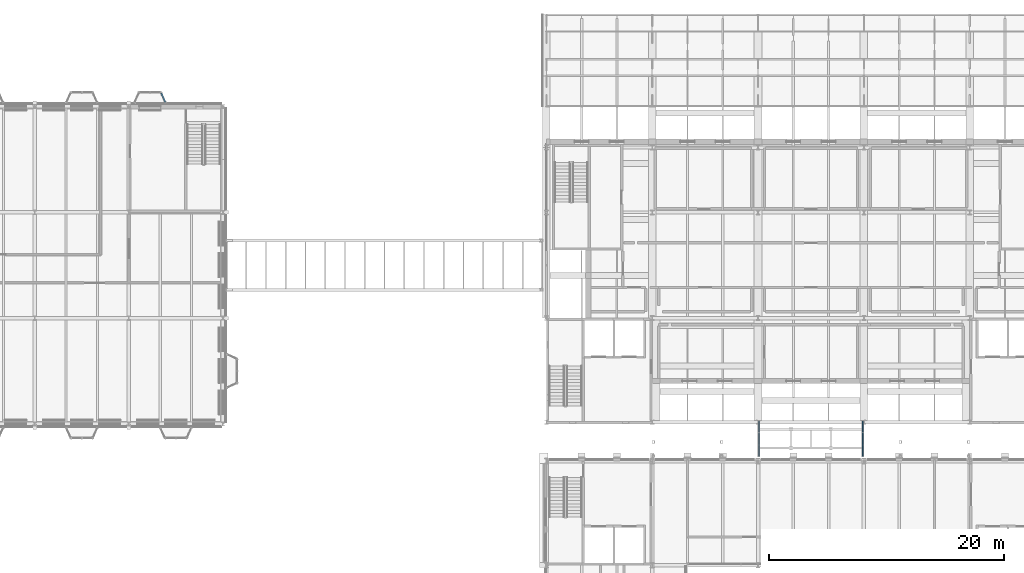
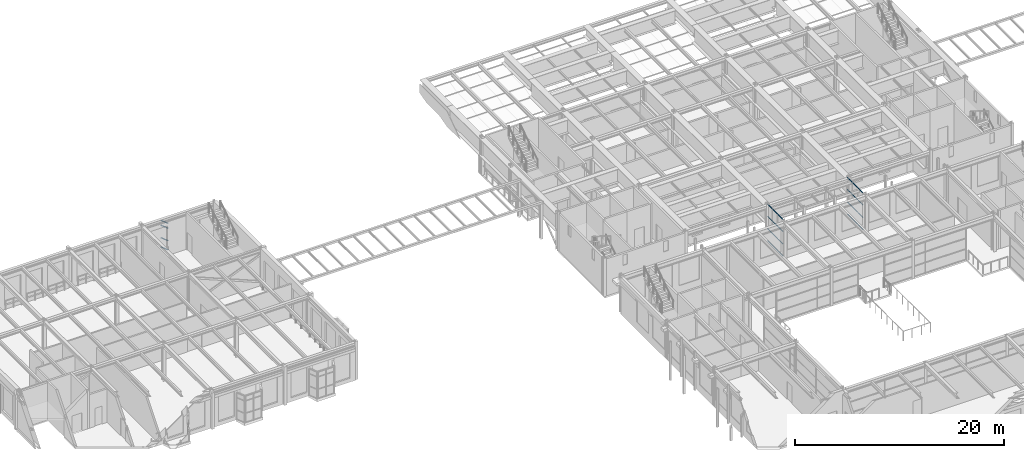
# One storey, part 80 of 153: 28 members, 3 elements without a shape of their own.
"""IFC4 building model written with IfcOpenShell, lengths in metres."""

import ifcopenshell
import ifcopenshell.guid

model = None  # the IFC model being written
_history = None  # IfcOwnerHistory: only IFC2X3 demands one
_inside = {}  # id of a spatial element -> (the spatial element, [elements in it])
_under = {}  # id of a project, library or spatial element -> (it, [spatial elements below it])
_declared = {}  # id of a project -> (the project, [libraries it declares])
_typed = {}  # id of a type object -> (the type object, [elements of that type])
_made_of = {}  # id of a material, layer set ... -> (it, [elements and type objects made of it])


def new_model(schema):
    """Start an empty IFC model of exactly this schema.

    Asked for "IFC4X3", IfcOpenShell would pick the latest addendum, in which some entities
    have other attributes; the version numbers below select the first issue.
    IFC2X3 requires an IfcOwnerHistory on every rooted entity: one is made here for all.
    """
    global model, _history
    if schema == "IFC4X3":
        model = ifcopenshell.file(schema_version=(4, 3, 0, 0))
    else:
        model = ifcopenshell.file(schema=schema)
    _inside.clear()
    _under.clear()
    _declared.clear()
    _typed.clear()
    _made_of.clear()
    _history = None
    if model.schema == "IFC2X3":
        org = make("IfcOrganization", Name="unknown")
        user = make(
            "IfcPersonAndOrganization",
            ThePerson=make("IfcPerson", FamilyName="unknown"),
            TheOrganization=org,
        )
        app = make(
            "IfcApplication",
            ApplicationDeveloper=org,
            Version="unknown",
            ApplicationFullName="unknown",
            ApplicationIdentifier="unknown",
        )
        _history = make(
            "IfcOwnerHistory",
            OwningUser=user,
            OwningApplication=app,
            ChangeAction="ADDED",
            CreationDate=0,
        )
    return model


def make(cls, **values):
    """One entity of the class cls with the attributes given. An attribute that is None is left unset."""
    return model.create_entity(
        cls, **{name: value for name, value in values.items() if value is not None}
    )


def rooted(cls, **values):
    """An entity with a GlobalId (a new one), such as an element, a storey or a relation."""
    return make(cls, GlobalId=ifcopenshell.guid.new(), OwnerHistory=_history, **values)


def si_unit(unit_type, name, prefix=None):
    """IfcSIUnit, for example si_unit("LENGTHUNIT", "METRE", prefix="MILLI")."""
    return make("IfcSIUnit", UnitType=unit_type, Prefix=prefix, Name=name)


def assignment(units):
    """IfcUnitAssignment: the units of a project."""
    return None if units is None else make("IfcUnitAssignment", Units=units)


def point(xyz):
    """IfcCartesianPoint."""
    return None if xyz is None else make("IfcCartesianPoint", Coordinates=xyz)


def direction(xyz):
    """IfcDirection."""
    return None if xyz is None else make("IfcDirection", DirectionRatios=xyz)


def frame(location, z_axis=None, x_axis=None):
    """IfcAxis2Placement3D, a coordinate frame: its origin and axes. An axis left out is left unset."""
    return make(
        "IfcAxis2Placement3D",
        Location=point(location),
        Axis=direction(z_axis),
        RefDirection=direction(x_axis),
    )


def frame_2d(location, x_axis=None):
    """IfcAxis2Placement2D, a coordinate frame in the plane: its origin and x axis."""
    return make(
        "IfcAxis2Placement2D", Location=point(location), RefDirection=direction(x_axis)
    )


def origin():
    """The frame at (0, 0, 0) with its axes left unset."""
    return frame((0.0, 0.0, 0.0))


def origin_2d():
    """The frame at (0, 0) in the plane with its x axis left unset."""
    return frame_2d((0.0, 0.0))


def place(relative_to, where):
    """IfcLocalPlacement: puts the frame where relative to a parent placement (None: the world)."""
    return make(
        "IfcLocalPlacement", PlacementRelTo=relative_to, RelativePlacement=where
    )


def context(
    kind, dimensions, precision=None, world=None, true_north=None, identifier=None
):
    """IfcGeometricRepresentationContext, for example the 3D "Model" context."""
    return make(
        "IfcGeometricRepresentationContext",
        ContextIdentifier=identifier,
        ContextType=kind,
        CoordinateSpaceDimension=dimensions,
        Precision=precision,
        WorldCoordinateSystem=world,
        TrueNorth=true_north,
    )


def subcontext(parent, identifier, kind, view, scale=None):
    """IfcGeometricRepresentationSubContext, for example "Body" below "Model"."""
    return make(
        "IfcGeometricRepresentationSubContext",
        ContextIdentifier=identifier,
        ContextType=kind,
        ParentContext=parent,
        TargetScale=scale,
        TargetView=view,
    )


def project(units=None, contexts=None):
    """IfcProject with its units and contexts."""
    return rooted(
        "IfcProject",
        Name="project",
        RepresentationContexts=contexts,
        UnitsInContext=assignment(units),
    )


def spatial(cls, under=None, at=None, **own):
    """A site, building, storey or space (cls), placed at a placement, below another one or the project."""
    s = rooted(cls, ObjectPlacement=at, **own)
    if under is not None:
        _under.setdefault(under.id(), (under, []))[1].append(s)
    return s


def profile(cls, at=None, kind="AREA", **sizes):
    """A parametric profile (cls). Its sizes go by their IFC names, for example OverallWidth=200.0."""
    return make(cls, ProfileType=kind, Position=at, **sizes)


def hollow_rectangle(**sizes):
    """IfcRectangleHollowProfileDef."""
    return profile("IfcRectangleHollowProfileDef", **sizes)


def extrude(swept, where, along, depth):
    """IfcExtrudedAreaSolid: the profile swept, set in the frame where, extruded along a direction by depth."""
    return make(
        "IfcExtrudedAreaSolid",
        SweptArea=swept,
        Position=where,
        ExtrudedDirection=direction(along),
        Depth=depth,
    )


def shape(context_of_items, identifier, shape_type, items):
    """IfcShapeRepresentation: the items that make up one representation, for example the "Body"."""
    return make(
        "IfcShapeRepresentation",
        ContextOfItems=context_of_items,
        RepresentationIdentifier=identifier,
        RepresentationType=shape_type,
        Items=items,
    )


def material(Name=None, Category=None):
    """IfcMaterial."""
    return make("IfcMaterial", Name=Name, Category=Category)


def material_profile(
    of_material, cross_section, Name=None, Category=None, Priority=None
):
    """IfcMaterialProfile: a cross section and its material."""
    return make(
        "IfcMaterialProfile",
        Name=Name,
        Material=of_material,
        Profile=cross_section,
        Priority=Priority,
        Category=Category,
    )


def profile_set(profiles, Name=None, composite=None):
    """IfcMaterialProfileSet."""
    return make(
        "IfcMaterialProfileSet",
        Name=Name,
        MaterialProfiles=profiles,
        CompositeProfile=composite,
    )


def made_of(thing, what):
    """Note that an element or type object is made of a material, layer set ...; save() writes the relation."""
    if what is not None:
        _made_of.setdefault(what.id(), (what, []))[1].append(thing)
    return thing


def type_object(cls, material=None, **own):
    """A type object (cls), such as IfcWallType, which elements share."""
    return made_of(rooted(cls, **own), material)


def element(
    cls,
    number,
    at=None,
    inside=None,
    cuts=None,
    type_object=None,
    material=None,
    context=None,
    identifier="Body",
    shape_type=None,
    held_by="IfcProductDefinitionShape",
    body=None,
    shapes=None,
    **own,
):
    """One element of the class cls, such as IfcWall. Its Tag is "e" and its number.

    at: its placement. inside: the storey or other place that contains it. cuts: it is an
    opening in that element (IfcRelVoidsElement). A single representation is given by context,
    identifier, shape_type and body (its items); several are given by shapes. held_by: the class
    of the entity that holds the representations. save() writes the other relations.
    """
    e = rooted(cls, Tag="e%d" % number, ObjectPlacement=at, **own)
    if body is not None:
        shapes = [shape(context, identifier, shape_type, body)]
    if shapes is not None:
        e.Representation = make(held_by, Representations=shapes)
    if inside is not None:
        _inside.setdefault(inside.id(), (inside, []))[1].append(e)
    if cuts is not None:
        rooted(
            "IfcRelVoidsElement", RelatingBuildingElement=cuts, RelatedOpeningElement=e
        )
    if type_object is not None:
        _typed.setdefault(type_object.id(), (type_object, []))[1].append(e)
    return made_of(e, material)


def aggregate(whole, parts):
    """IfcRelAggregates: a whole, such as a stair, and the parts it consists of."""
    return rooted("IfcRelAggregates", RelatingObject=whole, RelatedObjects=parts)


def save(model, path):
    """Write the relations noted so far, then the file.

    IfcRelAggregates (storeys below a building ...), IfcRelContainedInSpatialStructure (elements
    in a storey), IfcRelDefinesByType, IfcRelAssociatesMaterial and IfcRelDeclares: one each for
    every whole, place, type object, material and project.
    """
    for whole, parts in _under.values():
        aggregate(whole, parts)
    for where, things in _inside.values():
        rooted(
            "IfcRelContainedInSpatialStructure",
            RelatedElements=things,
            RelatingStructure=where,
        )
    for kind, things in _typed.values():
        rooted("IfcRelDefinesByType", RelatedObjects=things, RelatingType=kind)
    for what, things in _made_of.values():
        rooted("IfcRelAssociatesMaterial", RelatedObjects=things, RelatingMaterial=what)
    for by, libraries in _declared.values():
        rooted("IfcRelDeclares", RelatingContext=by, RelatedDefinitions=libraries)
    model.write(path)


model = new_model("IFC4")

# Units and contexts
model_context = context("Model", 3, precision=1e-05, world=origin(), true_north=direction((0.0, 1.0)))
body_context = subcontext(model_context, "Body", "Model", "MODEL_VIEW")
ifc_project = project(units=[si_unit("LENGTHUNIT", "METRE"), si_unit("AREAUNIT", "SQUARE_METRE"), si_unit("VOLUMEUNIT", "CUBIC_METRE"), si_unit("PLANEANGLEUNIT", "RADIAN"), si_unit("MASSUNIT", "GRAM", prefix="KILO")], contexts=[model_context])

# Site, building, storey
site_placement = place(None, origin())
site = spatial("IfcSite", under=ifc_project, at=site_placement, CompositionType="ELEMENT")
building_placement = place(site_placement, origin())
building = spatial("IfcBuilding", under=site, at=building_placement, Name="Kallimachos Central Library", CompositionType="ELEMENT")
storey_placement = place(building_placement, frame((0.0, 0.0, 5.39990234375)))
storey = spatial("IfcBuildingStorey", under=building, at=storey_placement, Name="L01", CompositionType="ELEMENT", Elevation=5.39990234375)

# Curtain wall, members
ifc_material_1 = material(Name="Laminated glass in anodised aluminium", Category="aluminium")
curtain_wall_type_1 = type_object("IfcCurtainWallType", Name="Foyer curtain wall", PredefinedType="NOTDEFINED", material=ifc_material_1)
curtain_wall_1_placement = place(storey_placement, origin())
curtain_wall_1 = element("IfcCurtainWall", 1, at=curtain_wall_1_placement, inside=storey, type_object=curtain_wall_type_1, Name="Tribune bay return east", PredefinedType="NOTDEFINED")
ifc_material_2 = material(Name="Anodised aluminium", Category="aluminium")
ifc_material_profile_1 = material_profile(ifc_material_2, hollow_rectangle(XDim=0.06005859375, YDim=0.1201171875, WallThickness=0.00390625, at=origin_2d()), Name="ALU TRANSOM 60x120")
ifc_profile_set_1 = profile_set([ifc_material_profile_1], Name="Anodised aluminium")
member_type_1 = type_object("IfcMemberType", Name="ALU TRANSOM 60x120 transom", PredefinedType="USERDEFINED", material=ifc_profile_set_1)
member_1_placement = place(storey_placement, frame((32.749267578125, 115.145263671875, 0.18017578125), z_axis=(0.406112280674, -0.913823186117, 0.0), x_axis=(0.0, 0.0, 1.0)))
member_1 = element("IfcMember", 2, at=member_1_placement, type_object=member_type_1, Name="CW transom 1.1", ObjectType="TRANSOM", PredefinedType="USERDEFINED", context=body_context, shape_type="SweptSolid", body=[
    extrude(hollow_rectangle(XDim=0.06005859375, YDim=0.1201171875, WallThickness=0.00390625, at=origin_2d()), origin(), (0.0, 0.0, 1.0), 0.864990234375),
])
member_2_placement = place(storey_placement, frame((32.749267578125, 115.145263671875, 1.25), z_axis=(0.406112280674, -0.913823186117, 0.0), x_axis=(0.0, 0.0, 1.0)))
member_2 = element("IfcMember", 3, at=member_2_placement, type_object=member_type_1, Name="CW transom 1.2", ObjectType="TRANSOM", PredefinedType="USERDEFINED", context=body_context, shape_type="SweptSolid", body=[
    extrude(hollow_rectangle(XDim=0.06005859375, YDim=0.1201171875, WallThickness=0.00390625, at=origin_2d()), origin(), (0.0, 0.0, 1.0), 0.864990234375),
])
member_3_placement = place(storey_placement, frame((32.749267578125, 115.145263671875, 2.7001953125), z_axis=(0.406112280674, -0.913823186117, 0.0), x_axis=(0.0, 0.0, 1.0)))
member_3 = element("IfcMember", 4, at=member_3_placement, type_object=member_type_1, Name="CW transom 1.3", ObjectType="TRANSOM", PredefinedType="USERDEFINED", context=body_context, shape_type="SweptSolid", body=[
    extrude(hollow_rectangle(XDim=0.06005859375, YDim=0.1201171875, WallThickness=0.00390625, at=origin_2d()), origin(), (0.0, 0.0, 1.0), 0.864990234375),
])
member_4_placement = place(storey_placement, frame((32.749267578125, 115.145263671875, 3.27001953125), z_axis=(0.406112280674, -0.913823186117, 0.0), x_axis=(0.0, 0.0, 1.0)))
member_4 = element("IfcMember", 5, at=member_4_placement, type_object=member_type_1, Name="CW transom 1.4", ObjectType="TRANSOM", PredefinedType="USERDEFINED", context=body_context, shape_type="SweptSolid", body=[
    extrude(hollow_rectangle(XDim=0.06005859375, YDim=0.1201171875, WallThickness=0.00390625, at=origin_2d()), origin(), (0.0, 0.0, 1.0), 0.864990234375),
])
aggregate(curtain_wall_1, [member_1, member_2, member_3, member_4])

ifc_material_3 = material(Name="Aluminium and laminated glass", Category="aluminium")
curtain_wall_type_2 = type_object("IfcCurtainWallType", Name="Link glazed wall", PredefinedType="NOTDEFINED", material=ifc_material_3)
curtain_wall_2_placement = place(storey_placement, origin())
curtain_wall_2 = element("IfcCurtainWall", 6, at=curtain_wall_2_placement, inside=storey, type_object=curtain_wall_type_2, Name="Reading Link glazed wall L01", PredefinedType="NOTDEFINED")
ifc_material_4 = material(Name="Anodised aluminium", Category="aluminium")
ifc_material_profile_2 = material_profile(ifc_material_4, hollow_rectangle(XDim=0.06005859375, YDim=0.080078125, WallThickness=0.00390625, at=origin_2d()), Name="ALU TRANSOM 60x80")
ifc_profile_set_2 = profile_set([ifc_material_profile_2], Name="Anodised aluminium")
member_type_2 = type_object("IfcMemberType", Name="ALU TRANSOM 60x80 transom", PredefinedType="USERDEFINED", material=ifc_profile_set_2)
member_5_placement = place(storey_placement, frame((83.580078125, 84.260009765625, 0.030029296875), z_axis=(0.0, 1.0, 0.0), x_axis=(0.0, 0.0, 1.0)))
member_5 = element("IfcMember", 7, at=member_5_placement, type_object=member_type_2, Name="CW64 transom 1.1", ObjectType="TRANSOM", PredefinedType="USERDEFINED", context=body_context, shape_type="SweptSolid", body=[
    extrude(hollow_rectangle(XDim=0.06005859375, YDim=0.080078125, WallThickness=0.00390625, at=origin_2d()), origin(), (0.0, 0.0, 1.0), 0.93505859375),
])
member_6_placement = place(storey_placement, frame((83.580078125, 84.260009765625, 1.4501953125), z_axis=(0.0, 1.0, 0.0), x_axis=(0.0, 0.0, 1.0)))
member_6 = element("IfcMember", 8, at=member_6_placement, type_object=member_type_2, Name="CW64 transom 1.2", ObjectType="TRANSOM", PredefinedType="USERDEFINED", context=body_context, shape_type="SweptSolid", body=[
    extrude(hollow_rectangle(XDim=0.06005859375, YDim=0.080078125, WallThickness=0.00390625, at=origin_2d()), origin(), (0.0, 0.0, 1.0), 0.93505859375),
])
member_7_placement = place(storey_placement, frame((83.580078125, 84.260009765625, 2.900146484375), z_axis=(0.0, 1.0, 0.0), x_axis=(0.0, 0.0, 1.0)))
member_7 = element("IfcMember", 9, at=member_7_placement, type_object=member_type_2, Name="CW64 transom 1.3", ObjectType="TRANSOM", PredefinedType="USERDEFINED", context=body_context, shape_type="SweptSolid", body=[
    extrude(hollow_rectangle(XDim=0.06005859375, YDim=0.080078125, WallThickness=0.00390625, at=origin_2d()), origin(), (0.0, 0.0, 1.0), 0.93505859375),
])
member_8_placement = place(storey_placement, frame((83.580078125, 84.260009765625, 4.320068359375), z_axis=(0.0, 1.0, 0.0), x_axis=(0.0, 0.0, 1.0)))
member_8 = element("IfcMember", 10, at=member_8_placement, type_object=member_type_2, Name="CW64 transom 1.4", ObjectType="TRANSOM", PredefinedType="USERDEFINED", context=body_context, shape_type="SweptSolid", body=[
    extrude(hollow_rectangle(XDim=0.06005859375, YDim=0.080078125, WallThickness=0.00390625, at=origin_2d()), origin(), (0.0, 0.0, 1.0), 0.93505859375),
])
member_9_placement = place(storey_placement, frame((83.580078125, 85.2548828125, 0.030029296875), z_axis=(0.0, 1.0, 0.0), x_axis=(0.0, 0.0, 1.0)))
member_9 = element("IfcMember", 11, at=member_9_placement, type_object=member_type_2, Name="CW64 transom 2.1", ObjectType="TRANSOM", PredefinedType="USERDEFINED", context=body_context, shape_type="SweptSolid", body=[
    extrude(hollow_rectangle(XDim=0.06005859375, YDim=0.080078125, WallThickness=0.00390625, at=origin_2d()), origin(), (0.0, 0.0, 1.0), 0.965087890625),
])
member_10_placement = place(storey_placement, frame((83.580078125, 85.2548828125, 1.4501953125), z_axis=(0.0, 1.0, 0.0), x_axis=(0.0, 0.0, 1.0)))
member_10 = element("IfcMember", 12, at=member_10_placement, type_object=member_type_2, Name="CW64 transom 2.2", ObjectType="TRANSOM", PredefinedType="USERDEFINED", context=body_context, shape_type="SweptSolid", body=[
    extrude(hollow_rectangle(XDim=0.06005859375, YDim=0.080078125, WallThickness=0.00390625, at=origin_2d()), origin(), (0.0, 0.0, 1.0), 0.965087890625),
])
member_11_placement = place(storey_placement, frame((83.580078125, 85.2548828125, 2.900146484375), z_axis=(0.0, 1.0, 0.0), x_axis=(0.0, 0.0, 1.0)))
member_11 = element("IfcMember", 13, at=member_11_placement, type_object=member_type_2, Name="CW64 transom 2.3", ObjectType="TRANSOM", PredefinedType="USERDEFINED", context=body_context, shape_type="SweptSolid", body=[
    extrude(hollow_rectangle(XDim=0.06005859375, YDim=0.080078125, WallThickness=0.00390625, at=origin_2d()), origin(), (0.0, 0.0, 1.0), 0.965087890625),
])
member_12_placement = place(storey_placement, frame((83.580078125, 85.2548828125, 4.320068359375), z_axis=(0.0, 1.0, 0.0), x_axis=(0.0, 0.0, 1.0)))
member_12 = element("IfcMember", 14, at=member_12_placement, type_object=member_type_2, Name="CW64 transom 2.4", ObjectType="TRANSOM", PredefinedType="USERDEFINED", context=body_context, shape_type="SweptSolid", body=[
    extrude(hollow_rectangle(XDim=0.06005859375, YDim=0.080078125, WallThickness=0.00390625, at=origin_2d()), origin(), (0.0, 0.0, 1.0), 0.965087890625),
])
member_13_placement = place(storey_placement, frame((83.580078125, 86.280029296875, 0.030029296875), z_axis=(0.0, 1.0, 0.0), x_axis=(0.0, 0.0, 1.0)))
member_13 = element("IfcMember", 15, at=member_13_placement, type_object=member_type_2, Name="CW64 transom 3.1", ObjectType="TRANSOM", PredefinedType="USERDEFINED", context=body_context, shape_type="SweptSolid", body=[
    extrude(hollow_rectangle(XDim=0.06005859375, YDim=0.080078125, WallThickness=0.00390625, at=origin_2d()), origin(), (0.0, 0.0, 1.0), 0.93505859375),
])
member_14_placement = place(storey_placement, frame((83.580078125, 86.280029296875, 1.4501953125), z_axis=(0.0, 1.0, 0.0), x_axis=(0.0, 0.0, 1.0)))
member_14 = element("IfcMember", 16, at=member_14_placement, type_object=member_type_2, Name="CW64 transom 3.2", ObjectType="TRANSOM", PredefinedType="USERDEFINED", context=body_context, shape_type="SweptSolid", body=[
    extrude(hollow_rectangle(XDim=0.06005859375, YDim=0.080078125, WallThickness=0.00390625, at=origin_2d()), origin(), (0.0, 0.0, 1.0), 0.93505859375),
])
member_15_placement = place(storey_placement, frame((83.580078125, 86.280029296875, 2.900146484375), z_axis=(0.0, 1.0, 0.0), x_axis=(0.0, 0.0, 1.0)))
member_15 = element("IfcMember", 17, at=member_15_placement, type_object=member_type_2, Name="CW64 transom 3.3", ObjectType="TRANSOM", PredefinedType="USERDEFINED", context=body_context, shape_type="SweptSolid", body=[
    extrude(hollow_rectangle(XDim=0.06005859375, YDim=0.080078125, WallThickness=0.00390625, at=origin_2d()), origin(), (0.0, 0.0, 1.0), 0.93505859375),
])
member_16_placement = place(storey_placement, frame((83.580078125, 86.280029296875, 4.320068359375), z_axis=(0.0, 1.0, 0.0), x_axis=(0.0, 0.0, 1.0)))
member_16 = element("IfcMember", 18, at=member_16_placement, type_object=member_type_2, Name="CW64 transom 3.4", ObjectType="TRANSOM", PredefinedType="USERDEFINED", context=body_context, shape_type="SweptSolid", body=[
    extrude(hollow_rectangle(XDim=0.06005859375, YDim=0.080078125, WallThickness=0.00390625, at=origin_2d()), origin(), (0.0, 0.0, 1.0), 0.93505859375),
])
aggregate(curtain_wall_2, [member_5, member_6, member_7, member_8, member_9, member_10, member_11, member_12, member_13, member_14, member_15, member_16])

curtain_wall_3_placement = place(storey_placement, origin())
curtain_wall_3 = element("IfcCurtainWall", 19, at=curtain_wall_3_placement, inside=storey, type_object=curtain_wall_type_2, Name="Reading Link glazed wall L01", PredefinedType="NOTDEFINED")
member_17_placement = place(storey_placement, frame((92.419921875, 84.260009765625, 0.030029296875), z_axis=(0.0, 1.0, 0.0), x_axis=(0.0, 0.0, 1.0)))
member_17 = element("IfcMember", 20, at=member_17_placement, type_object=member_type_2, Name="CW65 transom 1.1", ObjectType="TRANSOM", PredefinedType="USERDEFINED", context=body_context, shape_type="SweptSolid", body=[
    extrude(hollow_rectangle(XDim=0.06005859375, YDim=0.080078125, WallThickness=0.00390625, at=origin_2d()), origin(), (0.0, 0.0, 1.0), 0.93505859375),
])
member_18_placement = place(storey_placement, frame((92.419921875, 84.260009765625, 1.4501953125), z_axis=(0.0, 1.0, 0.0), x_axis=(0.0, 0.0, 1.0)))
member_18 = element("IfcMember", 21, at=member_18_placement, type_object=member_type_2, Name="CW65 transom 1.2", ObjectType="TRANSOM", PredefinedType="USERDEFINED", context=body_context, shape_type="SweptSolid", body=[
    extrude(hollow_rectangle(XDim=0.06005859375, YDim=0.080078125, WallThickness=0.00390625, at=origin_2d()), origin(), (0.0, 0.0, 1.0), 0.93505859375),
])
member_19_placement = place(storey_placement, frame((92.419921875, 84.260009765625, 2.900146484375), z_axis=(0.0, 1.0, 0.0), x_axis=(0.0, 0.0, 1.0)))
member_19 = element("IfcMember", 22, at=member_19_placement, type_object=member_type_2, Name="CW65 transom 1.3", ObjectType="TRANSOM", PredefinedType="USERDEFINED", context=body_context, shape_type="SweptSolid", body=[
    extrude(hollow_rectangle(XDim=0.06005859375, YDim=0.080078125, WallThickness=0.00390625, at=origin_2d()), origin(), (0.0, 0.0, 1.0), 0.93505859375),
])
member_20_placement = place(storey_placement, frame((92.419921875, 84.260009765625, 4.320068359375), z_axis=(0.0, 1.0, 0.0), x_axis=(0.0, 0.0, 1.0)))
member_20 = element("IfcMember", 23, at=member_20_placement, type_object=member_type_2, Name="CW65 transom 1.4", ObjectType="TRANSOM", PredefinedType="USERDEFINED", context=body_context, shape_type="SweptSolid", body=[
    extrude(hollow_rectangle(XDim=0.06005859375, YDim=0.080078125, WallThickness=0.00390625, at=origin_2d()), origin(), (0.0, 0.0, 1.0), 0.93505859375),
])
member_21_placement = place(storey_placement, frame((92.419921875, 85.2548828125, 0.030029296875), z_axis=(0.0, 1.0, 0.0), x_axis=(0.0, 0.0, 1.0)))
member_21 = element("IfcMember", 24, at=member_21_placement, type_object=member_type_2, Name="CW65 transom 2.1", ObjectType="TRANSOM", PredefinedType="USERDEFINED", context=body_context, shape_type="SweptSolid", body=[
    extrude(hollow_rectangle(XDim=0.06005859375, YDim=0.080078125, WallThickness=0.00390625, at=origin_2d()), origin(), (0.0, 0.0, 1.0), 0.965087890625),
])
member_22_placement = place(storey_placement, frame((92.419921875, 85.2548828125, 1.4501953125), z_axis=(0.0, 1.0, 0.0), x_axis=(0.0, 0.0, 1.0)))
member_22 = element("IfcMember", 25, at=member_22_placement, type_object=member_type_2, Name="CW65 transom 2.2", ObjectType="TRANSOM", PredefinedType="USERDEFINED", context=body_context, shape_type="SweptSolid", body=[
    extrude(hollow_rectangle(XDim=0.06005859375, YDim=0.080078125, WallThickness=0.00390625, at=origin_2d()), origin(), (0.0, 0.0, 1.0), 0.965087890625),
])
member_23_placement = place(storey_placement, frame((92.419921875, 85.2548828125, 2.900146484375), z_axis=(0.0, 1.0, 0.0), x_axis=(0.0, 0.0, 1.0)))
member_23 = element("IfcMember", 26, at=member_23_placement, type_object=member_type_2, Name="CW65 transom 2.3", ObjectType="TRANSOM", PredefinedType="USERDEFINED", context=body_context, shape_type="SweptSolid", body=[
    extrude(hollow_rectangle(XDim=0.06005859375, YDim=0.080078125, WallThickness=0.00390625, at=origin_2d()), origin(), (0.0, 0.0, 1.0), 0.965087890625),
])
member_24_placement = place(storey_placement, frame((92.419921875, 85.2548828125, 4.320068359375), z_axis=(0.0, 1.0, 0.0), x_axis=(0.0, 0.0, 1.0)))
member_24 = element("IfcMember", 27, at=member_24_placement, type_object=member_type_2, Name="CW65 transom 2.4", ObjectType="TRANSOM", PredefinedType="USERDEFINED", context=body_context, shape_type="SweptSolid", body=[
    extrude(hollow_rectangle(XDim=0.06005859375, YDim=0.080078125, WallThickness=0.00390625, at=origin_2d()), origin(), (0.0, 0.0, 1.0), 0.965087890625),
])
member_25_placement = place(storey_placement, frame((92.419921875, 86.280029296875, 0.030029296875), z_axis=(0.0, 1.0, 0.0), x_axis=(0.0, 0.0, 1.0)))
member_25 = element("IfcMember", 28, at=member_25_placement, type_object=member_type_2, Name="CW65 transom 3.1", ObjectType="TRANSOM", PredefinedType="USERDEFINED", context=body_context, shape_type="SweptSolid", body=[
    extrude(hollow_rectangle(XDim=0.06005859375, YDim=0.080078125, WallThickness=0.00390625, at=origin_2d()), origin(), (0.0, 0.0, 1.0), 0.93505859375),
])
member_26_placement = place(storey_placement, frame((92.419921875, 86.280029296875, 1.4501953125), z_axis=(0.0, 1.0, 0.0), x_axis=(0.0, 0.0, 1.0)))
member_26 = element("IfcMember", 29, at=member_26_placement, type_object=member_type_2, Name="CW65 transom 3.2", ObjectType="TRANSOM", PredefinedType="USERDEFINED", context=body_context, shape_type="SweptSolid", body=[
    extrude(hollow_rectangle(XDim=0.06005859375, YDim=0.080078125, WallThickness=0.00390625, at=origin_2d()), origin(), (0.0, 0.0, 1.0), 0.93505859375),
])
member_27_placement = place(storey_placement, frame((92.419921875, 86.280029296875, 2.900146484375), z_axis=(0.0, 1.0, 0.0), x_axis=(0.0, 0.0, 1.0)))
member_27 = element("IfcMember", 30, at=member_27_placement, type_object=member_type_2, Name="CW65 transom 3.3", ObjectType="TRANSOM", PredefinedType="USERDEFINED", context=body_context, shape_type="SweptSolid", body=[
    extrude(hollow_rectangle(XDim=0.06005859375, YDim=0.080078125, WallThickness=0.00390625, at=origin_2d()), origin(), (0.0, 0.0, 1.0), 0.93505859375),
])
member_28_placement = place(storey_placement, frame((92.419921875, 86.280029296875, 4.320068359375), z_axis=(0.0, 1.0, 0.0), x_axis=(0.0, 0.0, 1.0)))
member_28 = element("IfcMember", 31, at=member_28_placement, type_object=member_type_2, Name="CW65 transom 3.4", ObjectType="TRANSOM", PredefinedType="USERDEFINED", context=body_context, shape_type="SweptSolid", body=[
    extrude(hollow_rectangle(XDim=0.06005859375, YDim=0.080078125, WallThickness=0.00390625, at=origin_2d()), origin(), (0.0, 0.0, 1.0), 0.93505859375),
])
aggregate(curtain_wall_3, [member_17, member_18, member_19, member_20, member_21, member_22, member_23, member_24, member_25, member_26, member_27, member_28])

save(model, "model.ifc")
